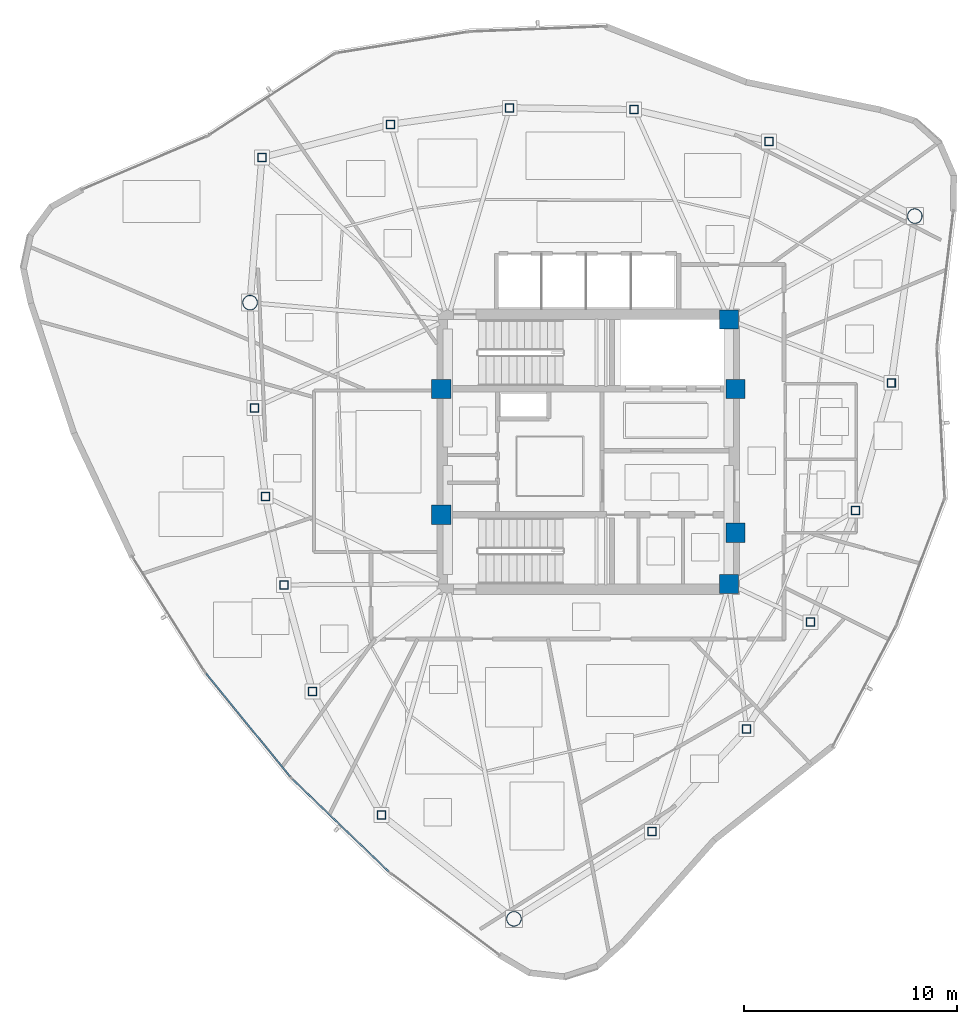
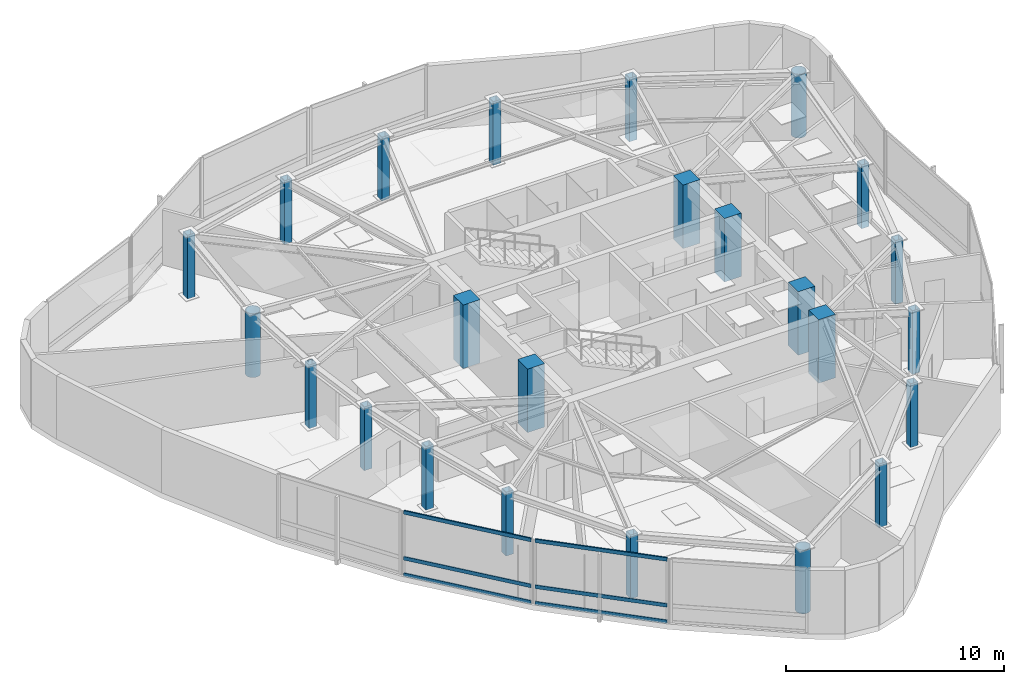
# One storey, part 1 of 12: 24 columns, 6 members, 2 elements without a shape of their own.
"""IFC4 building model written with IfcOpenShell, lengths in metres."""

from ifc_helpers import new_model, si_unit, direction, frame, origin, origin_2d, place, context, subcontext, project, spatial, rectangle, hollow_rectangle, hollow_circle, extrude, source, transform, mapped, material, layer, layer_set, material_profile, profile_set, type_object, type_shapes, element, aggregate, save


model = new_model("IFC4")

# Units and contexts
model_context = context("Model", 3, precision=1e-05, world=origin(), true_north=direction((0.0, 1.0)))
body_context = subcontext(model_context, "Body", "Model", "MODEL_VIEW")
ifc_project = project(units=[si_unit("LENGTHUNIT", "METRE"), si_unit("AREAUNIT", "SQUARE_METRE"), si_unit("VOLUMEUNIT", "CUBIC_METRE"), si_unit("PLANEANGLEUNIT", "RADIAN"), si_unit("MASSUNIT", "GRAM", prefix="KILO")], contexts=[model_context])

# Site, building, storey
site_placement = place(None, origin())
site = spatial("IfcSite", under=ifc_project, at=site_placement, CompositionType="ELEMENT")
building_placement = place(site_placement, origin())
building = spatial("IfcBuilding", under=site, at=building_placement, Name="Tavelor Broadcast Tower", CompositionType="ELEMENT")
storey_placement = place(building_placement, frame((0.0, 0.0, 321.5)))
storey = spatial("IfcBuildingStorey", under=building, at=storey_placement, Name="L77", CompositionType="ELEMENT", Elevation=321.5)

# Columns
ifc_material_1 = material(Name="Concrete C50/60", Category="concrete")
ifc_material_profile_1 = material_profile(ifc_material_1, rectangle(XDim=0.89990234375, YDim=0.89990234375, at=origin_2d()), Name="RC 900x900")
ifc_profile_set_1 = profile_set([ifc_material_profile_1], Name="Concrete C50/60")
column_type_1 = type_object("IfcColumnType", Name="Core Embedded Composite Column RC900", PredefinedType="COLUMN", material=ifc_profile_set_1)
for number, where, z_axis, x_axis, name in (
    (1, (43.10009765625, 47.949951171875, 0.0), (0.0, 0.0, 1.0), (1.0, 0.0, 0.0), "L77 Core Embedded Column 1"),
    (2, (56.89990234375, 47.949951171875, 0.0), (0.0, 0.0, 1.0), (1.0, 0.0, 0.0), "L77 Core Embedded Column 2"),
    (3, (56.60009765625, 51.199951171875, 0.0), (0.0, 0.0, 1.0), (1.0, 0.0, 0.0), "L77 Core Embedded Column 3"),
    (4, (43.10009765625, 42.050048828125, 0.0), (0.0, 0.0, 1.0), (1.0, 0.0, 0.0), "L77 Core Embedded Column 4"),
    (5, (56.89990234375, 41.199951171875, 0.0), (0.0, 0.0, 1.0), (1.0, 0.0, 0.0), "L77 Core Embedded Column 5"),
    (6, (56.60009765625, 38.800048828125, 0.0), (0.0, 0.0, 1.0), (1.0, 0.0, 0.0), "L77 Core Embedded Column 6"),
):
    element("IfcColumn", number, at=place(storey_placement, frame(where, z_axis=z_axis, x_axis=x_axis)), inside=storey, type_object=column_type_1, Name=name, PredefinedType="COLUMN", context=body_context, shape_type="SweptSolid", body=[
        extrude(rectangle(XDim=0.89990234375, YDim=0.89990234375, at=origin_2d()), origin(), (0.0, 0.0, 1.0), 3.550048828125),
    ])
ifc_material_2 = material(Name="Steel S460", Category="steel")
ifc_material_profile_2 = material_profile(ifc_material_2, hollow_rectangle(XDim=0.39990234375, YDim=0.39990234375, WallThickness=0.02490234375, at=origin_2d()), Name="SHS 400x400x25")
ifc_profile_set_2 = profile_set([ifc_material_profile_2], Name="Steel S460")
column_type_2 = type_object("IfcColumnType", Name="Perimeter Tube Column T8 SHS 400x400x25", PredefinedType="COLUMN", material=ifc_profile_set_2)
for number, where, z_axis, x_axis, name in (
    (7, (34.341552734375, 47.061279296875, 0.0), (0.0, 0.0, 1.0), (1.0, 0.0, 0.0), "L77 Perimeter Framed-Tube Column 02"),
    (8, (34.85400390625, 42.90185546875, 0.0), (0.0, 0.0, 1.0), (1.0, 0.0, 0.0), "L77 Perimeter Framed-Tube Column 03"),
    (9, (35.716552734375, 38.757080078125, 0.0), (0.0, 0.0, 1.0), (1.0, 0.0, 0.0), "L77 Perimeter Framed-Tube Column 04"),
    (10, (37.068115234375, 33.759521484375, 0.0), (0.0, 0.0, 1.0), (1.0, 0.0, 0.0), "L77 Perimeter Framed-Tube Column 05"),
    (11, (40.29638671875, 27.95361328125, 0.0), (0.0, 0.0, 1.0), (1.0, 0.0, 0.0), "L77 Perimeter Framed-Tube Column 06"),
    (12, (52.992919921875, 27.1767578125, 0.0), (0.0, 0.0, 1.0), (1.0, 0.0, 0.0), "L77 Perimeter Framed-Tube Column 08"),
    (13, (57.431396484375, 31.9921875, 0.0), (0.0, 0.0, 1.0), (1.0, 0.0, 0.0), "L77 Perimeter Framed-Tube Column 09"),
    (14, (60.41748046875, 37.00439453125, 0.0), (0.0, 0.0, 1.0), (1.0, 0.0, 0.0), "L77 Perimeter Framed-Tube Column 10"),
    (15, (62.543701171875, 42.240478515625, 0.0), (0.0, 0.0, 1.0), (1.0, 0.0, 0.0), "L77 Perimeter Framed-Tube Column 11"),
    (16, (64.21435546875, 48.2373046875, 0.0), (0.0, 0.0, 1.0), (1.0, 0.0, 0.0), "L77 Perimeter Framed-Tube Column 12"),
    (17, (58.485595703125, 59.55712890625, 0.0), (0.0, 0.0, 1.0), (1.0, 0.0, 0.0), "L77 Perimeter Framed-Tube Column 14"),
    (18, (52.147216796875, 61.05078125, 0.0), (0.0, 0.0, 1.0), (1.0, 0.0, 0.0), "L77 Perimeter Framed-Tube Column 15"),
    (19, (46.3154296875, 61.13720703125, 0.0), (0.0, 0.0, 1.0), (1.0, 0.0, 0.0), "L77 Perimeter Framed-Tube Column 16"),
    (20, (40.718017578125, 60.36083984375, 0.0), (0.0, 0.0, 1.0), (1.0, 0.0, 0.0), "L77 Perimeter Framed-Tube Column 17"),
    (21, (34.689208984375, 58.80908203125, 0.0), (0.0, 0.0, 1.0), (1.0, 0.0, 0.0), "L77 Perimeter Framed-Tube Column 18"),
):
    element("IfcColumn", number, at=place(storey_placement, frame(where, z_axis=z_axis, x_axis=x_axis)), inside=storey, type_object=column_type_2, Name=name, PredefinedType="COLUMN", context=body_context, shape_type="SweptSolid", body=[
        extrude(hollow_rectangle(XDim=0.39990234375, YDim=0.39990234375, WallThickness=0.02490234375, at=origin_2d()), origin(), (0.0, 0.0, 1.0), 3.550048828125),
    ])
ifc_material_profile_3 = material_profile(ifc_material_2, hollow_circle(Radius=0.35546875, WallThickness=0.031982421875, at=origin_2d()), Name="CHS 711x32")
ifc_profile_set_3 = profile_set([ifc_material_profile_3], Name="Steel S460")
column_type_3 = type_object("IfcColumnType", Name="Tower Mega Column T8 CHS 711x32", PredefinedType="COLUMN", material=ifc_profile_set_3)
for number, where, z_axis, x_axis, name in (
    (22, (34.134765625, 51.995849609375, 0.0), (0.0, 0.0, 1.0), (1.0, 0.0, 0.0), "L77 Tower Corner Mega Column 01"),
    (23, (46.5146484375, 23.08740234375, 0.0), (0.0, 0.0, 1.0), (1.0, 0.0, 0.0), "L77 Tower Corner Mega Column 07"),
    (24, (65.319580078125, 56.0556640625, 0.0), (0.0, 0.0, 1.0), (1.0, 0.0, 0.0), "L77 Tower Corner Mega Column 13"),
):
    element("IfcColumn", number, at=place(storey_placement, frame(where, z_axis=z_axis, x_axis=x_axis)), inside=storey, type_object=column_type_3, Name=name, PredefinedType="COLUMN", context=body_context, shape_type="SweptSolid", body=[
        extrude(hollow_circle(Radius=0.35546875, WallThickness=0.031982421875, at=origin_2d()), origin(), (0.0, 0.0, 1.0), 3.550048828125),
    ])

# Curtain wall, members
ifc_material_3 = material(Name="Architectural Anodized Aluminium", Category="aluminium")
ifc_layer = layer(ifc_material_3, 0.199951171875)
ifc_layer_set = layer_set([ifc_layer], Name="Architectural Anodized Aluminium")
curtain_wall_type = type_object("IfcCurtainWallType", Name="Tower High-Zone Triple-Glazed Curtain Wall CW04", PredefinedType="NOTDEFINED", material=ifc_layer_set)
curtain_wall_1_placement = place(storey_placement, origin())
curtain_wall_1 = element("IfcCurtainWall", 25, at=curtain_wall_1_placement, inside=storey, type_object=curtain_wall_type, Name="L77 Curtain Wall CW04 Run 854", PredefinedType="NOTDEFINED")
ifc_material_profile_4 = material_profile(ifc_material_3, hollow_rectangle(XDim=0.070068359375, YDim=0.199951171875, WallThickness=0.02197265625, at=origin_2d()), Name="RHS 70x200x22")
ifc_profile_set_4 = profile_set([ifc_material_profile_4], Name="Architectural Anodized Aluminium")
member_type = type_object("IfcMemberType", Name="CW04 Extruded Aluminium Transom 70x200", PredefinedType="USERDEFINED", material=ifc_profile_set_4)
shared_shape_1 = source(origin(), body_context, "Body", "SweptSolid", [
    extrude(hollow_rectangle(XDim=0.070068359375, YDim=0.199951171875, WallThickness=0.02197265625, at=origin_2d()), origin(), (0.0, 0.0, 1.0), 6.242431640625),
])
member_1_placement = place(storey_placement, frame((32.07373046875, 34.60107421875, 0.034912109375), z_axis=(0.631690361489, -0.775220799, 0.0), x_axis=(0.775220799, 0.631690361489, 0.0)))
member_1 = element("IfcMember", 26, at=member_1_placement, type_object=member_type, Name="CW04 transom 1.1", ObjectType="TRANSOM", PredefinedType="USERDEFINED", context=body_context, shape_type="MappedRepresentation", body=[
    mapped(shared_shape_1, transform((0.0, 0.0, 0.0), scale=1.0)),
])
member_2_placement = place(storey_placement, frame((32.07373046875, 34.60107421875, 0.949951171875), z_axis=(0.631690361489, -0.775220799, 0.0), x_axis=(0.775220799, 0.631690361489, 0.0)))
member_2 = element("IfcMember", 27, at=member_2_placement, type_object=member_type, Name="CW04 transom 1.2", ObjectType="TRANSOM", PredefinedType="USERDEFINED", context=body_context, shape_type="MappedRepresentation", body=[
    mapped(shared_shape_1, transform((0.0, 0.0, 0.0), scale=1.0)),
])
member_3_placement = place(storey_placement, frame((32.07373046875, 34.60107421875, 3.514892578125), z_axis=(0.631690361489, -0.775220799, 0.0), x_axis=(0.775220799, 0.631690361489, 0.0)))
member_3 = element("IfcMember", 28, at=member_3_placement, type_object=member_type, Name="CW04 transom 1.3", ObjectType="TRANSOM", PredefinedType="USERDEFINED", context=body_context, shape_type="MappedRepresentation", body=[
    mapped(shared_shape_1, transform((0.0, 0.0, 0.0), scale=1.0)),
])
aggregate(curtain_wall_1, [member_1, member_2, member_3])

curtain_wall_2_placement = place(storey_placement, origin())
curtain_wall_2 = element("IfcCurtainWall", 29, at=curtain_wall_2_placement, inside=storey, type_object=curtain_wall_type, Name="L77 Curtain Wall CW04 Run 855", PredefinedType="NOTDEFINED")
shared_shape_2 = source(origin(), body_context, "Body", "SweptSolid", [
    extrude(hollow_rectangle(XDim=0.070068359375, YDim=0.199951171875, WallThickness=0.02197265625, at=origin_2d()), origin(), (0.0, 0.0, 1.0), 6.24267578125),
])
type_shapes(member_type, [shared_shape_1, shared_shape_2])
member_4_placement = place(storey_placement, frame((36.132080078125, 29.636962890625, 0.034912109375), z_axis=(0.720854106988, -0.693086831817, 0.0), x_axis=(0.693086831817, 0.720854106988, 0.0)))
member_4 = element("IfcMember", 30, at=member_4_placement, type_object=member_type, Name="CW04 transom 1.1", ObjectType="TRANSOM", PredefinedType="USERDEFINED", context=body_context, shape_type="MappedRepresentation", body=[
    mapped(shared_shape_2, transform((0.0, 0.0, 0.0), scale=1.0)),
])
member_5_placement = place(storey_placement, frame((36.132080078125, 29.636962890625, 0.949951171875), z_axis=(0.720854106988, -0.693086831817, 0.0), x_axis=(0.693086831817, 0.720854106988, 0.0)))
member_5 = element("IfcMember", 31, at=member_5_placement, type_object=member_type, Name="CW04 transom 1.2", ObjectType="TRANSOM", PredefinedType="USERDEFINED", context=body_context, shape_type="MappedRepresentation", body=[
    mapped(shared_shape_2, transform((0.0, 0.0, 0.0), scale=1.0)),
])
member_6_placement = place(storey_placement, frame((36.132080078125, 29.636962890625, 3.514892578125), z_axis=(0.720854106988, -0.693086831817, 0.0), x_axis=(0.693086831817, 0.720854106988, 0.0)))
member_6 = element("IfcMember", 32, at=member_6_placement, type_object=member_type, Name="CW04 transom 1.3", ObjectType="TRANSOM", PredefinedType="USERDEFINED", context=body_context, shape_type="MappedRepresentation", body=[
    mapped(shared_shape_2, transform((0.0, 0.0, 0.0), scale=1.0)),
])
aggregate(curtain_wall_2, [member_4, member_5, member_6])

save(model, "model.ifc")
